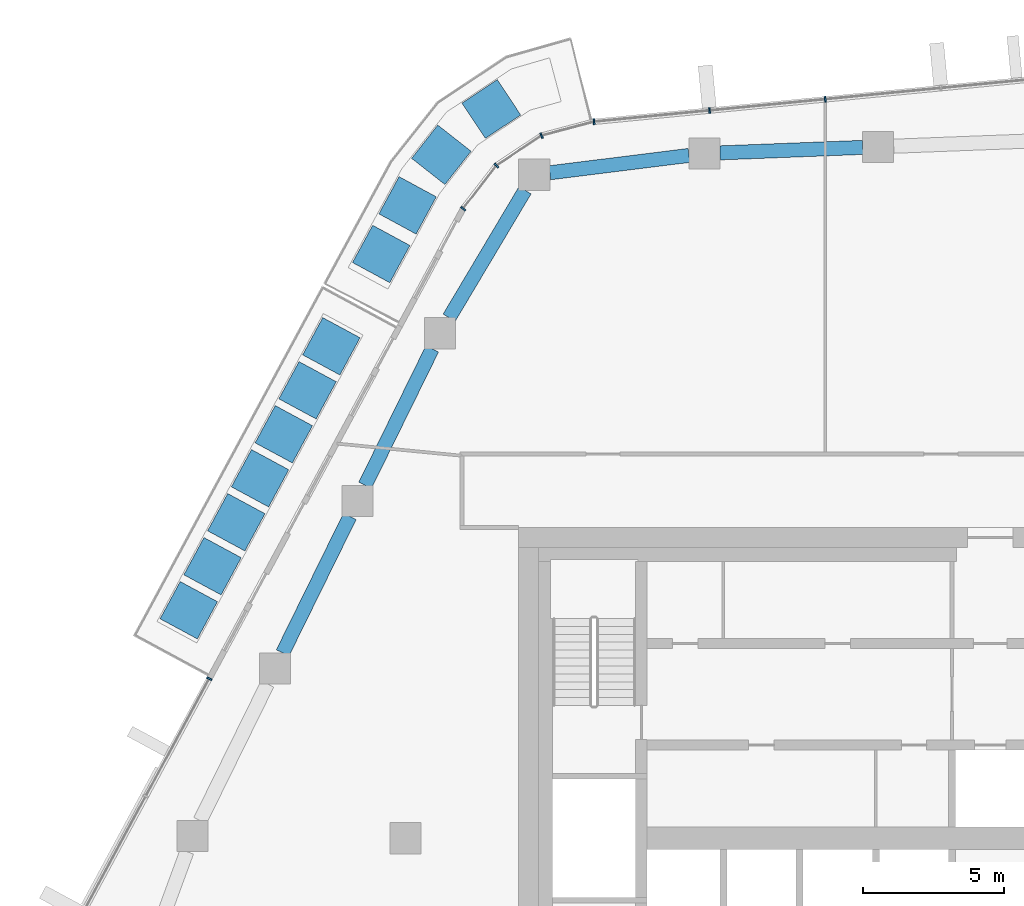
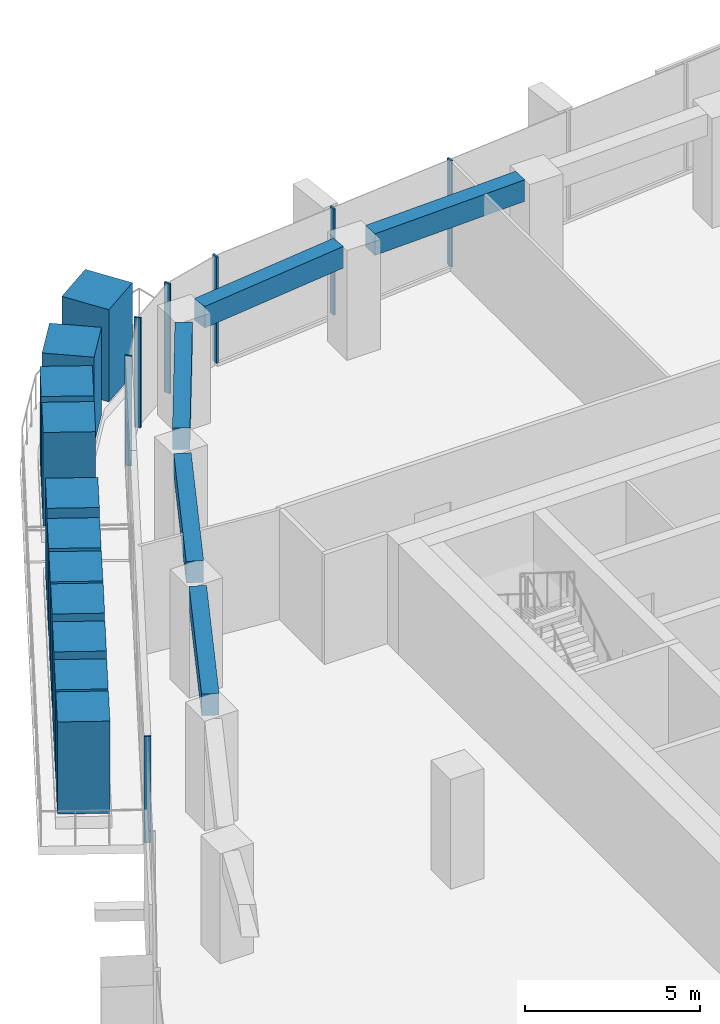
# One storey, part 6 of 20: 18 members, 5 beams, 3 elements without a shape of their own.
"""IFC4 building model written with IfcOpenShell, lengths in metres."""

from ifc_helpers import new_model, si_unit, direction, frame, origin, origin_2d, place, context, subcontext, project, spatial, rectangle, extrude, material, layer, layer_set, material_profile, profile_set, type_object, element, aggregate, save


model = new_model("IFC4")

# Units and contexts
model_context = context("Model", 3, precision=1e-05, world=origin(), true_north=direction((0.0, 1.0)))
body_context = subcontext(model_context, "Body", "Model", "MODEL_VIEW")
ifc_project = project(units=[si_unit("LENGTHUNIT", "METRE"), si_unit("AREAUNIT", "SQUARE_METRE"), si_unit("VOLUMEUNIT", "CUBIC_METRE"), si_unit("PLANEANGLEUNIT", "RADIAN"), si_unit("MASSUNIT", "GRAM", prefix="KILO")], contexts=[model_context])

# Site, building, storey
site_placement = place(None, origin())
site = spatial("IfcSite", under=ifc_project, at=site_placement, CompositionType="ELEMENT")
building_placement = place(site_placement, origin())
building = spatial("IfcBuilding", under=site, at=building_placement, Name="Dongbaek Canopy Tower", CompositionType="ELEMENT")
storey_placement = place(building_placement, frame((0.0, 0.0, 262.199951171875)))
storey = spatial("IfcBuildingStorey", under=building, at=storey_placement, Name="L55", CompositionType="ELEMENT", Elevation=262.199951171875)

# Curtain wall, members
ifc_material_1 = material(Name="Aluminium 6063-T6 pale anodised", Category="aluminium")
ifc_layer = layer(ifc_material_1, 0.199951171875)
ifc_layer_set = layer_set([ifc_layer], Name="CW-1 unitised tower curtain wall")
curtain_wall_type = type_object("IfcCurtainWallType", Name="CW-1 unitised tower curtain wall", PredefinedType="NOTDEFINED", material=ifc_layer_set)
curtain_wall_1_placement = place(storey_placement, origin())
curtain_wall_1 = element("IfcCurtainWall", 1, at=curtain_wall_1_placement, inside=storey, type_object=curtain_wall_type, Name="CW-1 curtain wall F1.1", PredefinedType="NOTDEFINED")
ifc_material_2 = material(Name="Aluminium 6063-T6 pale anodised", Category="aluminium")
ifc_material_profile_1 = material_profile(ifc_material_2, rectangle(XDim=0.199951171875, YDim=0.06005859375, at=origin_2d()), Name="CW-1 mullion 60 x 200")
ifc_profile_set_1 = profile_set([ifc_material_profile_1], Name="Aluminium 6063-T6 pale anodised")
member_type_1 = type_object("IfcMemberType", Name="CW-1 mullion 60 x 200", PredefinedType="MULLION", material=ifc_profile_set_1)
member_1_placement = place(storey_placement, frame((-3.141357421875, 26.161376953125, 0.1201171875), z_axis=(0.0, 0.0, 1.0), x_axis=(-0.096505718384, 0.995332430055, 0.0)))
member_1 = element("IfcMember", 2, at=member_1_placement, type_object=member_type_1, Name="CW-1 mullion F1.1.4", PredefinedType="MULLION", context=body_context, shape_type="SweptSolid", body=[
    extrude(rectangle(XDim=0.199951171875, YDim=0.06005859375, at=origin_2d()), origin(), (0.0, 0.0, 1.0), 3.699951171875),
])
member_2_placement = place(storey_placement, frame((-7.237548828125, 25.76416015625, 0.1201171875), z_axis=(0.0, 0.0, 1.0), x_axis=(-0.096505718384, 0.995332430055, 0.0)))
member_2 = element("IfcMember", 3, at=member_2_placement, type_object=member_type_1, Name="CW-1 mullion F1.1.5", PredefinedType="MULLION", context=body_context, shape_type="SweptSolid", body=[
    extrude(rectangle(XDim=0.199951171875, YDim=0.06005859375, at=origin_2d()), origin(), (0.0, 0.0, 1.0), 3.699951171875),
])
member_3_placement = place(storey_placement, frame((-11.325927734375, 25.36767578125, 0.1201171875), z_axis=(0.0, 0.0, 1.0), x_axis=(-0.096505718384, 0.995332430055, 0.0)))
member_3 = element("IfcMember", 4, at=member_3_placement, type_object=member_type_1, Name="CW-1 mullion F1.1.6", PredefinedType="MULLION", context=body_context, shape_type="SweptSolid", body=[
    extrude(rectangle(XDim=0.199951171875, YDim=0.06005859375, at=origin_2d()), origin(), (0.0, 0.0, 1.0), 3.699951171875),
])
aggregate(curtain_wall_1, [member_1, member_2, member_3])

curtain_wall_2_placement = place(storey_placement, origin())
curtain_wall_2 = element("IfcCurtainWall", 5, at=curtain_wall_2_placement, inside=storey, type_object=curtain_wall_type, Name="CW-1 curtain wall K2.1", PredefinedType="NOTDEFINED")
member_4_placement = place(storey_placement, frame((-13.185791015625, 24.873291015625, 0.0), z_axis=(0.0, 0.0, 1.0), x_axis=(-0.410472209051, 0.911873108276, 0.0)))
member_4 = element("IfcMember", 6, at=member_4_placement, type_object=member_type_1, Name="CW-1 mullion K2.1.2", PredefinedType="MULLION", context=body_context, shape_type="SweptSolid", body=[
    extrude(rectangle(XDim=0.199951171875, YDim=0.06005859375, at=origin_2d()), origin(), (0.0, 0.0, 1.0), 3.820068359375),
])
member_5_placement = place(storey_placement, frame((-14.7822265625, 23.813232421875, 0.0), z_axis=(0.0, 0.0, 1.0), x_axis=(-0.681117292173, 0.732174319615, 0.0)))
member_5 = element("IfcMember", 7, at=member_5_placement, type_object=member_type_1, Name="CW-1 mullion K2.1.3", PredefinedType="MULLION", context=body_context, shape_type="SweptSolid", body=[
    extrude(rectangle(XDim=0.199951171875, YDim=0.06005859375, at=origin_2d()), origin(), (0.0, 0.0, 1.0), 3.820068359375),
])
member_6_placement = place(storey_placement, frame((-15.959716796875, 22.291015625, 0.0), z_axis=(0.0, 0.0, 1.0), x_axis=(-0.791002228387, 0.611813267825, 0.0)))
member_6 = element("IfcMember", 8, at=member_6_placement, type_object=member_type_1, Name="CW-1 mullion K2.1.4", PredefinedType="MULLION", context=body_context, shape_type="SweptSolid", body=[
    extrude(rectangle(XDim=0.199951171875, YDim=0.06005859375, at=origin_2d()), origin(), (0.0, 0.0, 1.0), 3.820068359375),
])
aggregate(curtain_wall_2, [member_4, member_5, member_6])

# Curtain wall, member
curtain_wall_3_placement = place(storey_placement, origin())
curtain_wall_3 = element("IfcCurtainWall", 9, at=curtain_wall_3_placement, inside=storey, type_object=curtain_wall_type, Name="CW-1 curtain wall F2.1", PredefinedType="NOTDEFINED")
member_7_placement = place(storey_placement, frame((-24.94677734375, 5.65087890625, 0.1201171875), z_axis=(0.0, 0.0, 1.0), x_axis=(-0.879876973154, 0.475201548938, 0.0)))
member_7 = element("IfcMember", 10, at=member_7_placement, type_object=member_type_1, Name="CW-1 mullion F2.1.1", PredefinedType="MULLION", context=body_context, shape_type="SweptSolid", body=[
    extrude(rectangle(XDim=0.199951171875, YDim=0.06005859375, at=origin_2d()), origin(), (0.0, 0.0, 1.0), 3.699951171875),
])
aggregate(curtain_wall_3, [member_7])

# Beams
ifc_material_3 = material(Name="Concrete C70", Category="concrete")
ifc_material_profile_2 = material_profile(ifc_material_3, rectangle(XDim=0.5, YDim=0.75, at=origin_2d()), Name="RC EDGE BEAM 500x750 C70")
ifc_profile_set_2 = profile_set([ifc_material_profile_2], Name="Concrete C70")
beam_type = type_object("IfcBeamType", Name="RC EDGE BEAM 500x750 C70", PredefinedType="BEAM", material=ifc_profile_set_2)
beam_1_placement = place(storey_placement, frame((-22.350341796875, 6.56103515625, 3.445068359375), z_axis=(0.441366916234, 0.897326721576, 0.0), x_axis=(-0.897326721576, 0.441366916234, 0.0)))
element("IfcBeam", 11, at=beam_1_placement, inside=storey, type_object=beam_type, Name="EDGEBEAM:L55:10", PredefinedType="BEAM", context=body_context, shape_type="SweptSolid", body=[
    extrude(rectangle(XDim=0.5, YDim=0.75, at=origin_2d()), origin(), (0.0, 0.0, 1.0), 5.38720703125),
])
beam_2_placement = place(storey_placement, frame((-19.431396484375, 12.4951171875, 3.445068359375), z_axis=(0.441347181793, 0.89733642806, 0.0), x_axis=(-0.89733642806, 0.441347181793, 0.0)))
element("IfcBeam", 12, at=beam_2_placement, inside=storey, type_object=beam_type, Name="EDGEBEAM:L55:11", PredefinedType="BEAM", context=body_context, shape_type="SweptSolid", body=[
    extrude(rectangle(XDim=0.5, YDim=0.75, at=origin_2d()), origin(), (0.0, 0.0, 1.0), 5.3857421875),
])
beam_3_placement = place(storey_placement, frame((-16.45654296875, 18.427978515625, 3.445068359375), z_axis=(0.511587639318, 0.85923110238, 0.0), x_axis=(-0.85923110238, 0.511587639318, 0.0)))
element("IfcBeam", 13, at=beam_3_placement, inside=storey, type_object=beam_type, Name="EDGEBEAM:L55:12", PredefinedType="BEAM", context=body_context, shape_type="SweptSolid", body=[
    extrude(rectangle(XDim=0.5, YDim=0.75, at=origin_2d()), origin(), (0.0, 0.0, 1.0), 5.252197265625),
])
beam_4_placement = place(storey_placement, frame((-12.89208984375, 23.5595703125, 3.445068359375), z_axis=(0.992305840698, 0.123810817446, 0.0), x_axis=(-0.123810817446, 0.992305840698, 0.0)))
element("IfcBeam", 14, at=beam_4_placement, inside=storey, type_object=beam_type, Name="EDGEBEAM:L55:13", PredefinedType="BEAM", context=body_context, shape_type="SweptSolid", body=[
    extrude(rectangle(XDim=0.5, YDim=0.75, at=origin_2d()), origin(), (0.0, 0.0, 1.0), 4.965087890625),
])
beam_5_placement = place(storey_placement, frame((-6.864990234375, 24.26416015625, 3.445068359375), z_axis=(0.999263812988, 0.038364463397, 0.0), x_axis=(-0.038364463397, 0.999263812988, 0.0)))
element("IfcBeam", 15, at=beam_5_placement, inside=storey, type_object=beam_type, Name="EDGEBEAM:L55:14", PredefinedType="BEAM", context=body_context, shape_type="SweptSolid", body=[
    extrude(rectangle(XDim=0.5, YDim=0.75, at=origin_2d()), origin(), (0.0, 0.0, 1.0), 5.052734375),
])

# Members
ifc_material_4 = material(Name="Concrete C40/50 planter mass with planting", Category="concrete")
ifc_material_profile_3 = material_profile(ifc_material_4, rectangle(XDim=1.5, YDim=1.5, at=origin_2d()), Name="Terrace PLANTER shrub mass 1500 x 1500")
ifc_profile_set_3 = profile_set([ifc_material_profile_3], Name="Concrete C40/50 planter mass with planting")
member_type_2 = type_object("IfcMemberType", Name="Terrace PLANTER shrub mass 1500 x 1500", PredefinedType="USERDEFINED", material=ifc_profile_set_3)
member_8_placement = place(storey_placement, frame((-20.626708984375, 17.416259765625, 0.420166015625), z_axis=(0.0, 0.0, 1.0), x_axis=(-0.879876973154, 0.475201548938, 0.0)))
element("IfcMember", 16, at=member_8_placement, inside=storey, type_object=member_type_2, Name="Planter shrubs L55 2.1", ObjectType="PLANTER", PredefinedType="USERDEFINED", context=body_context, shape_type="SweptSolid", body=[
    extrude(rectangle(XDim=1.5, YDim=1.5, at=origin_2d()), origin(), (0.0, 0.0, 1.0), 3.2099609375),
])
member_9_placement = place(storey_placement, frame((-21.468017578125, 15.85888671875, 0.420166015625), z_axis=(0.0, 0.0, 1.0), x_axis=(-0.879876973154, 0.475201548938, 0.0)))
element("IfcMember", 17, at=member_9_placement, inside=storey, type_object=member_type_2, Name="Planter shrubs L55 2.2", ObjectType="PLANTER", PredefinedType="USERDEFINED", context=body_context, shape_type="SweptSolid", body=[
    extrude(rectangle(XDim=1.5, YDim=1.5, at=origin_2d()), origin(), (0.0, 0.0, 1.0), 3.0498046875),
])
member_10_placement = place(storey_placement, frame((-22.30908203125, 14.301513671875, 0.420166015625), z_axis=(0.0, 0.0, 1.0), x_axis=(-0.879876973154, 0.475201548938, 0.0)))
element("IfcMember", 18, at=member_10_placement, inside=storey, type_object=member_type_2, Name="Planter shrubs L55 2.3", ObjectType="PLANTER", PredefinedType="USERDEFINED", context=body_context, shape_type="SweptSolid", body=[
    extrude(rectangle(XDim=1.5, YDim=1.5, at=origin_2d()), origin(), (0.0, 0.0, 1.0), 3.1298828125),
])
member_11_placement = place(storey_placement, frame((-23.150146484375, 12.744140625, 0.420166015625), z_axis=(0.0, 0.0, 1.0), x_axis=(-0.879876973154, 0.475201548938, 0.0)))
element("IfcMember", 19, at=member_11_placement, inside=storey, type_object=member_type_2, Name="Planter shrubs L55 2.4", ObjectType="PLANTER", PredefinedType="USERDEFINED", context=body_context, shape_type="SweptSolid", body=[
    extrude(rectangle(XDim=1.5, YDim=1.5, at=origin_2d()), origin(), (0.0, 0.0, 1.0), 3.25),
])
member_12_placement = place(storey_placement, frame((-23.9912109375, 11.186767578125, 0.420166015625), z_axis=(0.0, 0.0, 1.0), x_axis=(-0.879876973154, 0.475201548938, 0.0)))
element("IfcMember", 20, at=member_12_placement, inside=storey, type_object=member_type_2, Name="Planter shrubs L55 2.5", ObjectType="PLANTER", PredefinedType="USERDEFINED", context=body_context, shape_type="SweptSolid", body=[
    extrude(rectangle(XDim=1.5, YDim=1.5, at=origin_2d()), origin(), (0.0, 0.0, 1.0), 3.169921875),
])
member_13_placement = place(storey_placement, frame((-24.832275390625, 9.62939453125, 0.420166015625), z_axis=(0.0, 0.0, 1.0), x_axis=(-0.879876973154, 0.475201548938, 0.0)))
element("IfcMember", 21, at=member_13_placement, inside=storey, type_object=member_type_2, Name="Planter shrubs L55 2.6", ObjectType="PLANTER", PredefinedType="USERDEFINED", context=body_context, shape_type="SweptSolid", body=[
    extrude(rectangle(XDim=1.5, YDim=1.5, at=origin_2d()), origin(), (0.0, 0.0, 1.0), 3.08984375),
])
for number, where, z_axis, x_axis, name in (
    (22, (-25.673583984375, 8.072021484375, 0.420166015625), (0.0, 0.0, 1.0), (-0.879876973154, 0.475201548938, 0.0), "Planter shrubs L55 2.7"),
    (23, (-14.961669921875, 25.81591796875, 0.420166015625), (0.0, 0.0, 1.0), (-0.553140871251, 0.833087736407, 0.0), "Planter shrubs L55 6.1"),
):
    element("IfcMember", number, at=place(storey_placement, frame(where, z_axis=z_axis, x_axis=x_axis)), inside=storey, type_object=member_type_2, Name=name, ObjectType="PLANTER", PredefinedType="USERDEFINED", context=body_context, shape_type="SweptSolid", body=[
        extrude(rectangle(XDim=1.5, YDim=1.5, at=origin_2d()), origin(), (0.0, 0.0, 1.0), 3.2099609375),
    ])
member_14_placement = place(storey_placement, frame((-16.7314453125, 24.196044921875, 0.420166015625), z_axis=(0.0, 0.0, 1.0), x_axis=(-0.786623441478, 0.617433041971, 0.0)))
element("IfcMember", 24, at=member_14_placement, inside=storey, type_object=member_type_2, Name="Planter shrubs L55 6.2", ObjectType="PLANTER", PredefinedType="USERDEFINED", context=body_context, shape_type="SweptSolid", body=[
    extrude(rectangle(XDim=1.5, YDim=1.5, at=origin_2d()), origin(), (0.0, 0.0, 1.0), 3.0498046875),
])
member_15_placement = place(storey_placement, frame((-17.92724609375, 22.40625, 0.420166015625), z_axis=(0.0, 0.0, 1.0), x_axis=(-0.879194337268, 0.476463343097, 0.0)))
element("IfcMember", 25, at=member_15_placement, inside=storey, type_object=member_type_2, Name="Planter shrubs L55 6.3", ObjectType="PLANTER", PredefinedType="USERDEFINED", context=body_context, shape_type="SweptSolid", body=[
    extrude(rectangle(XDim=1.5, YDim=1.5, at=origin_2d()), origin(), (0.0, 0.0, 1.0), 3.1298828125),
])
member_16_placement = place(storey_placement, frame((-18.860595703125, 20.683837890625, 0.420166015625), z_axis=(0.0, 0.0, 1.0), x_axis=(-0.879194337268, 0.476463343097, 0.0)))
element("IfcMember", 26, at=member_16_placement, inside=storey, type_object=member_type_2, Name="Planter shrubs L55 6.4", ObjectType="PLANTER", PredefinedType="USERDEFINED", context=body_context, shape_type="SweptSolid", body=[
    extrude(rectangle(XDim=1.5, YDim=1.5, at=origin_2d()), origin(), (0.0, 0.0, 1.0), 3.25),
])

save(model, "model.ifc")
